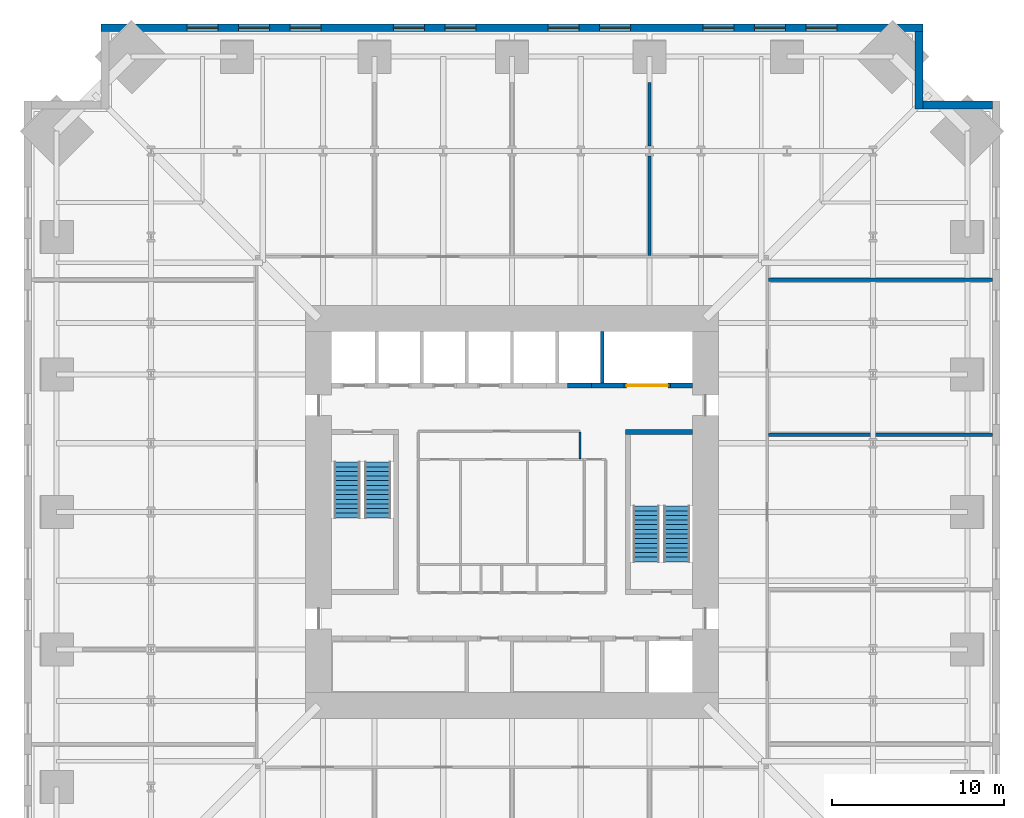
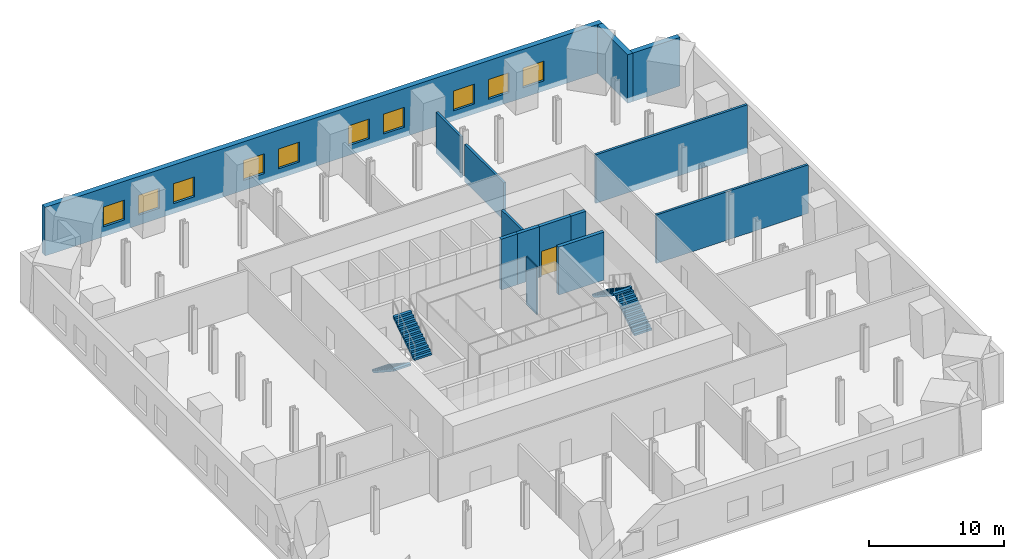
# One storey, part 7 of 8: 14 walls, 10 windows, 4 stair flights, 1 door, 11 openings, 2 elements without a shape of their own.
"""IFC4 building model written with IfcOpenShell, lengths in metres."""

from ifc_helpers import new_model, si_unit, direction, frame, frame_2d, origin, place, context, subcontext, project, spatial, polyline, rectangle, outline, extrude, material, layer, layer_set, type_object, element, fill, aggregate, save


model = new_model("IFC4")

# Units and contexts
model_context = context("Model", 3, precision=1e-05, world=origin(), true_north=direction((0.0, 1.0)))
body_context = subcontext(model_context, "Body", "Model", "MODEL_VIEW")
ifc_project = project(units=[si_unit("LENGTHUNIT", "METRE"), si_unit("AREAUNIT", "SQUARE_METRE"), si_unit("VOLUMEUNIT", "CUBIC_METRE"), si_unit("PLANEANGLEUNIT", "RADIAN"), si_unit("MASSUNIT", "GRAM", prefix="KILO")], contexts=[model_context])

# Site, building, storey
site_placement = place(None, origin())
site = spatial("IfcSite", under=ifc_project, at=site_placement, CompositionType="ELEMENT")
building_placement = place(site_placement, origin())
building = spatial("IfcBuilding", under=site, at=building_placement, Name="Peilmerk Tower", CompositionType="ELEMENT")
storey_placement = place(building_placement, frame((0.0, 0.0, 109.0)))
storey = spatial("IfcBuildingStorey", under=building, at=storey_placement, Name="L21", CompositionType="ELEMENT", Elevation=109.0)

# Wall, openings, windows
ifc_material_1 = material(Name="Precast concrete C45/55, board-marked finish", Category="concrete")
ifc_layer_1 = layer(ifc_material_1, 0.449951171875)
ifc_layer_set_1 = layer_set([ifc_layer_1], Name="Precast concrete C45/55, board-marked finish")
wall_type_1 = type_object("IfcWallType", Name="EW1 450 precast concrete facade wall, board-marked", PredefinedType="SOLIDWALL", material=ifc_layer_set_1)
wall_1_placement = place(storey_placement, frame((23.89990234375, 28.175048828125, 0.0), z_axis=(0.0, 0.0, 1.0), x_axis=(-1.0, 0.0, 0.0)))
wall_1 = element("IfcWall", 1, at=wall_1_placement, inside=storey, type_object=wall_type_1, Name="Facade wall N L21", PredefinedType="SOLIDWALL", context=body_context, shape_type="SweptSolid", body=[
    extrude(rectangle(XDim=47.7998046875, YDim=0.449951171875, at=frame_2d((23.89990234375, 0.0))), origin(), (0.0, 0.0, 1.0), 4.39990234375),
])
opening_1_placement = place(wall_1_placement, frame((5.0, 0.0, 0.89990234375)))
opening_1 = element("IfcOpeningElement", 2, at=opening_1_placement, cuts=wall_1, Name="Opening W3", PredefinedType="OPENING", context=body_context, shape_type="SweptSolid", body=[
    extrude(rectangle(XDim=1.800048828125, YDim=1.800048828125, at=frame_2d((0.89990234375, 0.89990234375))), frame((0.0, 0.23486328125, 0.0), z_axis=(0.0, -1.0, 0.0), x_axis=(1.0, 0.0, 0.0)), (0.0, 0.0, 1.0), 0.469970703125),
])
opening_2_placement = place(wall_1_placement, frame((8.0, 0.0, 0.89990234375)))
opening_2 = element("IfcOpeningElement", 3, at=opening_2_placement, cuts=wall_1, Name="Opening W3", PredefinedType="OPENING", context=body_context, shape_type="SweptSolid", body=[
    extrude(rectangle(XDim=1.800048828125, YDim=1.800048828125, at=frame_2d((0.89990234375, 0.89990234375))), frame((0.0, 0.23486328125, 0.0), z_axis=(0.0, -1.0, 0.0), x_axis=(1.0, 0.0, 0.0)), (0.0, 0.0, 1.0), 0.469970703125),
])
opening_3_placement = place(wall_1_placement, frame((11.0, 0.0, 0.89990234375)))
opening_3 = element("IfcOpeningElement", 4, at=opening_3_placement, cuts=wall_1, Name="Opening W3", PredefinedType="OPENING", context=body_context, shape_type="SweptSolid", body=[
    extrude(rectangle(XDim=1.800048828125, YDim=1.800048828125, at=frame_2d((0.89990234375, 0.89990234375))), frame((0.0, 0.23486328125, 0.0), z_axis=(0.0, -1.0, 0.0), x_axis=(1.0, 0.0, 0.0)), (0.0, 0.0, 1.0), 0.469970703125),
])
opening_4_placement = place(wall_1_placement, frame((17.0, 0.0, 0.89990234375)))
opening_4 = element("IfcOpeningElement", 5, at=opening_4_placement, cuts=wall_1, Name="Opening W3", PredefinedType="OPENING", context=body_context, shape_type="SweptSolid", body=[
    extrude(rectangle(XDim=1.800048828125, YDim=1.800048828125, at=frame_2d((0.89990234375, 0.89990234375))), frame((0.0, 0.23486328125, 0.0), z_axis=(0.0, -1.0, 0.0), x_axis=(1.0, 0.0, 0.0)), (0.0, 0.0, 1.0), 0.469970703125),
])
opening_5_placement = place(wall_1_placement, frame((20.0, 0.0, 0.89990234375)))
opening_5 = element("IfcOpeningElement", 6, at=opening_5_placement, cuts=wall_1, Name="Opening W3", PredefinedType="OPENING", context=body_context, shape_type="SweptSolid", body=[
    extrude(rectangle(XDim=1.800048828125, YDim=1.800048828125, at=frame_2d((0.89990234375, 0.89990234375))), frame((0.0, 0.23486328125, 0.0), z_axis=(0.0, -1.0, 0.0), x_axis=(1.0, 0.0, 0.0)), (0.0, 0.0, 1.0), 0.469970703125),
])
opening_6_placement = place(wall_1_placement, frame((26.0, 0.0, 0.89990234375)))
opening_6 = element("IfcOpeningElement", 7, at=opening_6_placement, cuts=wall_1, Name="Opening W3", PredefinedType="OPENING", context=body_context, shape_type="SweptSolid", body=[
    extrude(rectangle(XDim=1.800048828125, YDim=1.800048828125, at=frame_2d((0.89990234375, 0.89990234375))), frame((0.0, 0.23486328125, 0.0), z_axis=(0.0, -1.0, 0.0), x_axis=(1.0, 0.0, 0.0)), (0.0, 0.0, 1.0), 0.469970703125),
])
opening_7_placement = place(wall_1_placement, frame((29.0, 0.0, 0.89990234375)))
opening_7 = element("IfcOpeningElement", 8, at=opening_7_placement, cuts=wall_1, Name="Opening W3", PredefinedType="OPENING", context=body_context, shape_type="SweptSolid", body=[
    extrude(rectangle(XDim=1.800048828125, YDim=1.800048828125, at=frame_2d((0.89990234375, 0.89990234375))), frame((0.0, 0.23486328125, 0.0), z_axis=(0.0, -1.0, 0.0), x_axis=(1.0, 0.0, 0.0)), (0.0, 0.0, 1.0), 0.469970703125),
])
opening_8_placement = place(wall_1_placement, frame((35.0, 0.0, 0.89990234375)))
opening_8 = element("IfcOpeningElement", 9, at=opening_8_placement, cuts=wall_1, Name="Opening W3", PredefinedType="OPENING", context=body_context, shape_type="SweptSolid", body=[
    extrude(rectangle(XDim=1.800048828125, YDim=1.800048828125, at=frame_2d((0.89990234375, 0.89990234375))), frame((0.0, 0.23486328125, 0.0), z_axis=(0.0, -1.0, 0.0), x_axis=(1.0, 0.0, 0.0)), (0.0, 0.0, 1.0), 0.469970703125),
])
opening_9_placement = place(wall_1_placement, frame((38.0, 0.0, 0.89990234375)))
opening_9 = element("IfcOpeningElement", 10, at=opening_9_placement, cuts=wall_1, Name="Opening W3", PredefinedType="OPENING", context=body_context, shape_type="SweptSolid", body=[
    extrude(rectangle(XDim=1.800048828125, YDim=1.800048828125, at=frame_2d((0.89990234375, 0.89990234375))), frame((0.0, 0.23486328125, 0.0), z_axis=(0.0, -1.0, 0.0), x_axis=(1.0, 0.0, 0.0)), (0.0, 0.0, 1.0), 0.469970703125),
])
opening_10_placement = place(wall_1_placement, frame((41.0, 0.0, 0.89990234375)))
opening_10 = element("IfcOpeningElement", 11, at=opening_10_placement, cuts=wall_1, Name="Opening W3", PredefinedType="OPENING", context=body_context, shape_type="SweptSolid", body=[
    extrude(rectangle(XDim=1.800048828125, YDim=1.800048828125, at=frame_2d((0.89990234375, 0.89990234375))), frame((0.0, 0.23486328125, 0.0), z_axis=(0.0, -1.0, 0.0), x_axis=(1.0, 0.0, 0.0)), (0.0, 0.0, 1.0), 0.469970703125),
])
ifc_material_2 = material(Name="Aluminium frame, clear double glazing", Category="aluminium")
window_type = type_object("IfcWindowType", Name="W3 1800x1800 telecom floor window", PartitioningType="SINGLE_PANEL", PredefinedType="WINDOW", material=ifc_material_2)
window_1_placement = place(opening_1_placement, origin())
window_1 = element("IfcWindow", 12, at=window_1_placement, inside=storey, type_object=window_type, Name="Window W3 L21", OverallHeight=1.800048828125, OverallWidth=1.800048828125, PartitioningType="SINGLE_PANEL", PredefinedType="WINDOW", context=body_context, shape_type="SweptSolid", body=[
    extrude(rectangle(XDim=1.800048828125, YDim=1.800048828125, at=frame_2d((0.89990234375, 0.89990234375))), frame((0.0, 0.030029296875, 0.0), z_axis=(0.0, -1.0, 0.0), x_axis=(1.0, 0.0, 0.0)), (0.0, 0.0, 1.0), 0.06005859375),
])
fill(opening_1, window_1)
window_2_placement = place(opening_2_placement, origin())
window_2 = element("IfcWindow", 13, at=window_2_placement, inside=storey, type_object=window_type, Name="Window W3 L21", OverallHeight=1.800048828125, OverallWidth=1.800048828125, PartitioningType="SINGLE_PANEL", PredefinedType="WINDOW", context=body_context, shape_type="SweptSolid", body=[
    extrude(rectangle(XDim=1.800048828125, YDim=1.800048828125, at=frame_2d((0.89990234375, 0.89990234375))), frame((0.0, 0.030029296875, 0.0), z_axis=(0.0, -1.0, 0.0), x_axis=(1.0, 0.0, 0.0)), (0.0, 0.0, 1.0), 0.06005859375),
])
fill(opening_2, window_2)
window_3_placement = place(opening_3_placement, origin())
window_3 = element("IfcWindow", 14, at=window_3_placement, inside=storey, type_object=window_type, Name="Window W3 L21", OverallHeight=1.800048828125, OverallWidth=1.800048828125, PartitioningType="SINGLE_PANEL", PredefinedType="WINDOW", context=body_context, shape_type="SweptSolid", body=[
    extrude(rectangle(XDim=1.800048828125, YDim=1.800048828125, at=frame_2d((0.89990234375, 0.89990234375))), frame((0.0, 0.030029296875, 0.0), z_axis=(0.0, -1.0, 0.0), x_axis=(1.0, 0.0, 0.0)), (0.0, 0.0, 1.0), 0.06005859375),
])
fill(opening_3, window_3)
window_4_placement = place(opening_4_placement, origin())
window_4 = element("IfcWindow", 15, at=window_4_placement, inside=storey, type_object=window_type, Name="Window W3 L21", OverallHeight=1.800048828125, OverallWidth=1.800048828125, PartitioningType="SINGLE_PANEL", PredefinedType="WINDOW", context=body_context, shape_type="SweptSolid", body=[
    extrude(rectangle(XDim=1.800048828125, YDim=1.800048828125, at=frame_2d((0.89990234375, 0.89990234375))), frame((0.0, 0.030029296875, 0.0), z_axis=(0.0, -1.0, 0.0), x_axis=(1.0, 0.0, 0.0)), (0.0, 0.0, 1.0), 0.06005859375),
])
fill(opening_4, window_4)
window_5_placement = place(opening_5_placement, origin())
window_5 = element("IfcWindow", 16, at=window_5_placement, inside=storey, type_object=window_type, Name="Window W3 L21", OverallHeight=1.800048828125, OverallWidth=1.800048828125, PartitioningType="SINGLE_PANEL", PredefinedType="WINDOW", context=body_context, shape_type="SweptSolid", body=[
    extrude(rectangle(XDim=1.800048828125, YDim=1.800048828125, at=frame_2d((0.89990234375, 0.89990234375))), frame((0.0, 0.030029296875, 0.0), z_axis=(0.0, -1.0, 0.0), x_axis=(1.0, 0.0, 0.0)), (0.0, 0.0, 1.0), 0.06005859375),
])
fill(opening_5, window_5)
window_6_placement = place(opening_6_placement, origin())
window_6 = element("IfcWindow", 17, at=window_6_placement, inside=storey, type_object=window_type, Name="Window W3 L21", OverallHeight=1.800048828125, OverallWidth=1.800048828125, PartitioningType="SINGLE_PANEL", PredefinedType="WINDOW", context=body_context, shape_type="SweptSolid", body=[
    extrude(rectangle(XDim=1.800048828125, YDim=1.800048828125, at=frame_2d((0.89990234375, 0.89990234375))), frame((0.0, 0.030029296875, 0.0), z_axis=(0.0, -1.0, 0.0), x_axis=(1.0, 0.0, 0.0)), (0.0, 0.0, 1.0), 0.06005859375),
])
fill(opening_6, window_6)
window_7_placement = place(opening_7_placement, origin())
window_7 = element("IfcWindow", 18, at=window_7_placement, inside=storey, type_object=window_type, Name="Window W3 L21", OverallHeight=1.800048828125, OverallWidth=1.800048828125, PartitioningType="SINGLE_PANEL", PredefinedType="WINDOW", context=body_context, shape_type="SweptSolid", body=[
    extrude(rectangle(XDim=1.800048828125, YDim=1.800048828125, at=frame_2d((0.89990234375, 0.89990234375))), frame((0.0, 0.030029296875, 0.0), z_axis=(0.0, -1.0, 0.0), x_axis=(1.0, 0.0, 0.0)), (0.0, 0.0, 1.0), 0.06005859375),
])
fill(opening_7, window_7)
window_8_placement = place(opening_8_placement, origin())
window_8 = element("IfcWindow", 19, at=window_8_placement, inside=storey, type_object=window_type, Name="Window W3 L21", OverallHeight=1.800048828125, OverallWidth=1.800048828125, PartitioningType="SINGLE_PANEL", PredefinedType="WINDOW", context=body_context, shape_type="SweptSolid", body=[
    extrude(rectangle(XDim=1.800048828125, YDim=1.800048828125, at=frame_2d((0.89990234375, 0.89990234375))), frame((0.0, 0.030029296875, 0.0), z_axis=(0.0, -1.0, 0.0), x_axis=(1.0, 0.0, 0.0)), (0.0, 0.0, 1.0), 0.06005859375),
])
fill(opening_8, window_8)
window_9_placement = place(opening_9_placement, origin())
window_9 = element("IfcWindow", 20, at=window_9_placement, inside=storey, type_object=window_type, Name="Window W3 L21", OverallHeight=1.800048828125, OverallWidth=1.800048828125, PartitioningType="SINGLE_PANEL", PredefinedType="WINDOW", context=body_context, shape_type="SweptSolid", body=[
    extrude(rectangle(XDim=1.800048828125, YDim=1.800048828125, at=frame_2d((0.89990234375, 0.89990234375))), frame((0.0, 0.030029296875, 0.0), z_axis=(0.0, -1.0, 0.0), x_axis=(1.0, 0.0, 0.0)), (0.0, 0.0, 1.0), 0.06005859375),
])
fill(opening_9, window_9)
window_10_placement = place(opening_10_placement, origin())
window_10 = element("IfcWindow", 21, at=window_10_placement, inside=storey, type_object=window_type, Name="Window W3 L21", OverallHeight=1.800048828125, OverallWidth=1.800048828125, PartitioningType="SINGLE_PANEL", PredefinedType="WINDOW", context=body_context, shape_type="SweptSolid", body=[
    extrude(rectangle(XDim=1.800048828125, YDim=1.800048828125, at=frame_2d((0.89990234375, 0.89990234375))), frame((0.0, 0.030029296875, 0.0), z_axis=(0.0, -1.0, 0.0), x_axis=(1.0, 0.0, 0.0)), (0.0, 0.0, 1.0), 0.06005859375),
])
fill(opening_10, window_10)

# Walls
wall_2_placement = place(storey_placement, frame((23.675048828125, 23.449951171875, 0.0), z_axis=(0.0, 0.0, 1.0), x_axis=(0.0, 1.0, 0.0)))
element("IfcWall", 22, at=wall_2_placement, inside=storey, type_object=wall_type_1, Name="Facade wall NEA L21", PredefinedType="SOLIDWALL", context=body_context, shape_type="SweptSolid", body=[
    extrude(rectangle(XDim=4.5, YDim=0.449951171875, at=frame_2d((2.25, 0.0))), origin(), (0.0, 0.0, 1.0), 4.39990234375),
])
wall_3_placement = place(storey_placement, frame((23.89990234375, 23.675048828125, 0.0), z_axis=(0.0, 0.0, 1.0), x_axis=(1.0, 0.0, 0.0)))
element("IfcWall", 23, at=wall_3_placement, inside=storey, type_object=wall_type_1, Name="Facade wall NEB L21", PredefinedType="SOLIDWALL", context=body_context, shape_type="SweptSolid", body=[
    extrude(rectangle(XDim=4.050048828125, YDim=0.449951171875, at=frame_2d((2.02490234375, 0.0))), origin(), (0.0, 0.0, 1.0), 4.39990234375),
])
ifc_material_3 = material(Name="Calcium silicate block", Category="masonry")
ifc_layer_2 = layer(ifc_material_3, 0.199951171875)
ifc_layer_set_2 = layer_set([ifc_layer_2], Name="Calcium silicate block")
wall_type_2 = type_object("IfcWallType", Name="IW2 200 room separating wall, EI 120", PredefinedType="PARTITIONING", material=ifc_layer_set_2)
wall_4_placement = place(storey_placement, frame((14.925048828125, 13.5, 0.0), z_axis=(0.0, 0.0, 1.0), x_axis=(1.0, 0.0, 0.0)))
element("IfcWall", 24, at=wall_4_placement, inside=storey, type_object=wall_type_2, Name="Room separating wall NE L21", PredefinedType="PARTITIONING", context=body_context, shape_type="SweptSolid", body=[
    extrude(rectangle(XDim=13.02490234375, YDim=0.199951171875, at=frame_2d((6.512451171875, 0.0))), origin(), (0.0, 0.0, 1.0), 4.39990234375),
])
wall_5_placement = place(storey_placement, frame((8.0, 14.925048828125, 0.0), z_axis=(0.0, 0.0, 1.0), x_axis=(0.0, 1.0, 0.0)))
element("IfcWall", 25, at=wall_5_placement, inside=storey, type_object=wall_type_2, Name="Room separating wall N3 L21", PredefinedType="PARTITIONING", context=body_context, shape_type="SweptSolid", body=[
    extrude(rectangle(XDim=5.79052734375, YDim=0.199951171875, at=frame_2d((2.895263671875, 0.0))), origin(), (0.0, 0.0, 1.0), 3.39208984375),
])
wall_6_placement = place(storey_placement, frame((8.0, 21.284423828125, 0.0), z_axis=(0.0, 0.0, 1.0), x_axis=(0.0, 1.0, 0.0)))
element("IfcWall", 26, at=wall_6_placement, inside=storey, type_object=wall_type_2, Name="Room separating wall N3b L21", PredefinedType="PARTITIONING", context=body_context, shape_type="SweptSolid", body=[
    extrude(rectangle(XDim=3.688232421875, YDim=0.199951171875, at=frame_2d((1.84423828125, 0.0))), origin(), (0.0, 0.0, 1.0), 3.7099609375),
])
wall_7_placement = place(storey_placement, frame((14.925048828125, 4.5, 0.0), z_axis=(0.0, 0.0, 1.0), x_axis=(1.0, 0.0, 0.0)))
element("IfcWall", 27, at=wall_7_placement, inside=storey, type_object=wall_type_2, Name="Room separating wall E2 L21", PredefinedType="PARTITIONING", context=body_context, shape_type="SweptSolid", body=[
    extrude(rectangle(XDim=13.02490234375, YDim=0.199951171875, at=frame_2d((6.512451171875, 0.0))), origin(), (0.0, 0.0, 1.0), 4.39990234375),
])
ifc_material_4 = material(Name="Concrete C35/45", Category="concrete")
ifc_layer_3 = layer(ifc_material_4, 0.300048828125)
ifc_layer_set_3 = layer_set([ifc_layer_3], Name="Concrete C35/45")
wall_type_3 = type_object("IfcWallType", Name="IW3 300 concrete stair enclosure wall, EI 120", PredefinedType="SOLIDWALL", material=ifc_layer_set_3)
wall_8_placement = place(storey_placement, frame((6.60009765625, 4.64990234375, 0.0), z_axis=(0.0, 0.0, 1.0), x_axis=(1.0, 0.0, 0.0)))
element("IfcWall", 28, at=wall_8_placement, inside=storey, type_object=wall_type_3, Name="Stair 2 enclosure L21", PredefinedType="SOLIDWALL", context=body_context, shape_type="SweptSolid", body=[
    extrude(rectangle(XDim=3.89990234375, YDim=0.300048828125, at=frame_2d((1.949951171875, 0.0))), origin(), (0.0, 0.0, 1.0), 4.35009765625),
])
ifc_material_5 = material(Name="Fire-resisting plasterboard on steel studs", Category="steel")
ifc_layer_4 = layer(ifc_material_5, 0.10009765625)
ifc_layer_set_4 = layer_set([ifc_layer_4], Name="Fire-resisting plasterboard on steel studs")
wall_type_4 = type_object("IfcWallType", Name="IW9 100 WC lobby wall, EI 30", PredefinedType="PARTITIONING", material=ifc_layer_set_4)
wall_9_placement = place(storey_placement, frame((3.949951171875, 3.10009765625, 0.0), z_axis=(0.0, 0.0, 1.0), x_axis=(0.0, 1.0, 0.0)))
element("IfcWall", 29, at=wall_9_placement, inside=storey, type_object=wall_type_4, Name="WC lobby wall L21", PredefinedType="PARTITIONING", context=body_context, shape_type="SweptSolid", body=[
    extrude(rectangle(XDim=1.5498046875, YDim=0.10009765625, at=frame_2d((0.77490234375, 0.0))), origin(), (0.0, 0.0, 1.0), 4.35009765625),
])
ifc_layer_5 = layer(ifc_material_3, 0.199951171875)
ifc_layer_set_5 = layer_set([ifc_layer_5], Name="Calcium silicate block")
wall_type_5 = type_object("IfcWallType", Name="SH1 200 shaft dividing wall, EI 120", PredefinedType="PARTITIONING", material=ifc_layer_set_5)
wall_10_placement = place(storey_placement, frame((5.25, 7.5, 0.0), z_axis=(0.0, 0.0, 1.0), x_axis=(0.0, 1.0, 0.0)))
element("IfcWall", 30, at=wall_10_placement, inside=storey, type_object=wall_type_5, Name="Shaft wall N S2 L21", PredefinedType="PARTITIONING", context=body_context, shape_type="SweptSolid", body=[
    extrude(rectangle(XDim=3.0, YDim=0.199951171875, at=frame_2d((1.5, 0.0))), origin(), (0.0, 0.0, 1.0), 4.60009765625),
])
ifc_layer_6 = layer(ifc_material_3, 0.300048828125)
ifc_layer_set_6 = layer_set([ifc_layer_6], Name="Calcium silicate block")
wall_type_6 = type_object("IfcWallType", Name="SH2 300 lift landing door panel, EI 120", PredefinedType="PARTITIONING", material=ifc_layer_set_6)
wall_11_placement = place(storey_placement, frame((3.237548828125, 7.35009765625, 0.0), z_axis=(0.0, 0.0, 1.0), x_axis=(1.0, 0.0, 0.0)))
element("IfcWall", 31, at=wall_11_placement, inside=storey, type_object=wall_type_6, Name="Lift door panel N S2 L21", PredefinedType="PARTITIONING", context=body_context, shape_type="SweptSolid", body=[
    extrude(rectangle(XDim=1.39990234375, YDim=0.300048828125, at=frame_2d((0.699951171875, 0.0))), origin(), (0.0, 0.0, 1.0), 4.60009765625),
])

# Wall, opening, door
wall_12_placement = place(storey_placement, frame((6.52490234375, 7.35009765625, 0.0), z_axis=(0.0, 0.0, 1.0), x_axis=(1.0, 0.0, 0.0)))
wall_12 = element("IfcWall", 32, at=wall_12_placement, inside=storey, type_object=wall_type_6, Name="Lift door panel N GL1 L21", PredefinedType="PARTITIONING", context=body_context, shape_type="SweptSolid", body=[
    extrude(rectangle(XDim=2.7001953125, YDim=0.300048828125, at=frame_2d((1.35009765625, 0.0))), origin(), (0.0, 0.0, 1.0), 4.60009765625),
])
opening_11_placement = place(wall_12_placement, frame((0.14990234375, 0.0, 0.0)))
opening_11 = element("IfcOpeningElement", 33, at=opening_11_placement, cuts=wall_12, Name="Opening LD3", PredefinedType="OPENING", context=body_context, shape_type="SweptSolid", body=[
    extrude(rectangle(XDim=2.39990234375, YDim=2.300048828125, at=frame_2d((1.199951171875, 1.14990234375))), frame((0.0, 0.159912109375, 0.0), z_axis=(0.0, -1.0, 0.0), x_axis=(1.0, 0.0, 0.0)), (0.0, 0.0, 1.0), 0.320068359375),
])
ifc_material_6 = material(Name="Stainless steel landing door", Category="steel")
door_type = type_object("IfcDoorType", Name="LD3 2400x2300 lift landing door, sliding, EI2 60", OperationType="SLIDING_TO_LEFT", PredefinedType="DOOR", material=ifc_material_6)
door_placement = place(opening_11_placement, frame((2.39990234375, 0.0, 0.0), z_axis=(0.0, 0.0, 1.0), x_axis=(-1.0, 0.0, 0.0)))
door = element("IfcDoor", 34, at=door_placement, inside=storey, type_object=door_type, Name="Lift landing door GL1 L21", OperationType="SLIDING_TO_LEFT", OverallHeight=2.300048828125, OverallWidth=2.39990234375, PredefinedType="DOOR", context=body_context, shape_type="SweptSolid", body=[
    extrude(rectangle(XDim=2.39990234375, YDim=2.300048828125, at=frame_2d((1.199951171875, 1.14990234375))), frame((0.0, 0.02490234375, 0.0), z_axis=(0.0, -1.0, 0.0), x_axis=(1.0, 0.0, 0.0)), (0.0, 0.0, 1.0), 0.050048828125),
])
fill(opening_11, door)

# Walls
ifc_material_7 = material(Name="Concrete C55/67", Category="concrete")
ifc_layer_7 = layer(ifc_material_7, 0.300048828125)
ifc_layer_set_7 = layer_set([ifc_layer_7], Name="Concrete C55/67")
wall_type_7 = type_object("IfcWallType", Name="SW2 300 lift bank pier", PredefinedType="SHEAR", material=ifc_layer_set_7)
wall_13_placement = place(storey_placement, frame((4.637451171875, 7.35009765625, 0.0), z_axis=(0.0, 0.0, 1.0), x_axis=(1.0, 0.0, 0.0)))
element("IfcWall", 35, at=wall_13_placement, inside=storey, type_object=wall_type_7, Name="Lift bank pier N L21", PredefinedType="SHEAR", context=body_context, shape_type="SweptSolid", body=[
    extrude(rectangle(XDim=1.887451171875, YDim=0.300048828125, at=frame_2d((0.94384765625, 0.0))), origin(), (0.0, 0.0, 1.0), 4.60009765625),
])
wall_14_placement = place(storey_placement, frame((9.22509765625, 7.35009765625, 0.0), z_axis=(0.0, 0.0, 1.0), x_axis=(1.0, 0.0, 0.0)))
element("IfcWall", 36, at=wall_14_placement, inside=storey, type_object=wall_type_7, Name="Lift bank pier N L21", PredefinedType="SHEAR", context=body_context, shape_type="SweptSolid", body=[
    extrude(rectangle(XDim=1.27490234375, YDim=0.300048828125, at=frame_2d((0.637451171875, 0.0))), origin(), (0.0, 0.0, 1.0), 4.60009765625),
])

# Stair, stair flights
ifc_material_8 = material(Name="Precast concrete C45/55", Category="concrete")
stair_type_1 = type_object("IfcStairType", Name="ST1 26 risers of 176.9", PredefinedType="HALF_TURN_STAIR", material=ifc_material_8)
stair_1_placement = place(storey_placement, origin())
stair_1 = element("IfcStair", 37, at=stair_1_placement, inside=storey, type_object=stair_type_1, Name="Stair 1 L21 to L22", PredefinedType="HALF_TURN_STAIR")
stair_flight_type = type_object("IfcStairFlightType", Name="SF13 flight, 13 risers of 176.9", PredefinedType="STRAIGHT", material=ifc_material_8)
stair_flight_1_placement = place(storey_placement, frame((-9.60009765625, 2.89990234375, 0.0), z_axis=(0.0, 0.0, 1.0), x_axis=(0.0, -1.0, 0.0)))
stair_flight_1 = element("IfcStairFlight", 38, at=stair_flight_1_placement, type_object=stair_flight_type, Name="ST1 flight 1", NumberOfRisers=13, NumberOfTreads=12, PredefinedType="STRAIGHT", RiserHeight=0.176923077, TreadLength=0.27, context=body_context, shape_type="SweptSolid", body=[
    extrude(outline(polyline([(0.0, 0.0), (0.0, 0.177001953125), (0.27001953125, 0.177001953125), (0.27001953125, 0.353759765625), (0.5400390625, 0.353759765625), (0.5400390625, 0.53076171875), (0.81005859375, 0.53076171875), (0.81005859375, 0.707763671875), (1.080078125, 0.707763671875), (1.080078125, 0.884521484375), (1.35009765625, 0.884521484375), (1.35009765625, 1.0615234375), (1.6201171875, 1.0615234375), (1.6201171875, 1.238525390625), (1.889892578125, 1.238525390625), (1.889892578125, 1.415283203125), (2.159912109375, 1.415283203125), (2.159912109375, 1.59228515625), (2.429931640625, 1.59228515625), (2.429931640625, 1.769287109375), (2.699951171875, 1.769287109375), (2.699951171875, 1.946044921875), (2.969970703125, 1.946044921875), (2.969970703125, 2.123046875), (3.239990234375, 2.123046875), (3.239990234375, 2.300048828125), (3.239990234375, 1.94384765625), (0.2734375, 0.0), (0.0, 0.0)])), frame((0.0, 0.75, 0.0), z_axis=(0.0, -1.0, 0.0), x_axis=(1.0, 0.0, 0.0)), (0.0, 0.0, 1.0), 1.5),
])
stair_flight_2_placement = place(storey_placement, frame((-7.800048828125, -0.340087890625, 2.300048828125), z_axis=(0.0, 0.0, 1.0), x_axis=(0.0, 1.0, 0.0)))
stair_flight_2 = element("IfcStairFlight", 39, at=stair_flight_2_placement, type_object=stair_flight_type, Name="ST1 flight 2", NumberOfRisers=13, NumberOfTreads=12, PredefinedType="STRAIGHT", RiserHeight=0.176923077, TreadLength=0.27, context=body_context, shape_type="SweptSolid", body=[
    extrude(outline(polyline([(0.0, 0.0), (0.0, 0.177001953125), (0.27001953125, 0.177001953125), (0.27001953125, 0.353759765625), (0.5400390625, 0.353759765625), (0.5400390625, 0.53076171875), (0.81005859375, 0.53076171875), (0.81005859375, 0.707763671875), (1.080078125, 0.707763671875), (1.080078125, 0.884521484375), (1.35009765625, 0.884521484375), (1.35009765625, 1.0615234375), (1.6201171875, 1.0615234375), (1.6201171875, 1.238525390625), (1.889892578125, 1.238525390625), (1.889892578125, 1.415283203125), (2.159912109375, 1.415283203125), (2.159912109375, 1.59228515625), (2.429931640625, 1.59228515625), (2.429931640625, 1.769287109375), (2.699951171875, 1.769287109375), (2.699951171875, 1.946044921875), (2.969970703125, 1.946044921875), (2.969970703125, 2.123046875), (3.239990234375, 2.123046875), (3.239990234375, 2.300048828125), (3.239990234375, 1.94384765625), (0.2734375, 0.0), (0.0, 0.0)])), frame((0.0, 0.75, 0.0), z_axis=(0.0, -1.0, 0.0), x_axis=(1.0, 0.0, 0.0)), (0.0, 0.0, 1.0), 1.5),
])
aggregate(stair_1, [stair_flight_1, stair_flight_2])

stair_type_2 = type_object("IfcStairType", Name="ST2 26 risers of 176.9", PredefinedType="HALF_TURN_STAIR", material=ifc_material_8)
stair_2_placement = place(storey_placement, origin())
stair_2 = element("IfcStair", 40, at=stair_2_placement, inside=storey, type_object=stair_type_2, Name="Stair 2 L21 to L22", PredefinedType="HALF_TURN_STAIR")
stair_flight_3_placement = place(storey_placement, frame((9.60009765625, -2.89990234375, 0.0), z_axis=(0.0, 0.0, 1.0), x_axis=(0.0, 1.0, 0.0)))
stair_flight_3 = element("IfcStairFlight", 41, at=stair_flight_3_placement, type_object=stair_flight_type, Name="ST2 flight 1", NumberOfRisers=13, NumberOfTreads=12, PredefinedType="STRAIGHT", RiserHeight=0.176923077, TreadLength=0.27, context=body_context, shape_type="SweptSolid", body=[
    extrude(outline(polyline([(0.0, 0.0), (0.0, 0.177001953125), (0.27001953125, 0.177001953125), (0.27001953125, 0.353759765625), (0.5400390625, 0.353759765625), (0.5400390625, 0.53076171875), (0.81005859375, 0.53076171875), (0.81005859375, 0.707763671875), (1.080078125, 0.707763671875), (1.080078125, 0.884521484375), (1.35009765625, 0.884521484375), (1.35009765625, 1.0615234375), (1.6201171875, 1.0615234375), (1.6201171875, 1.238525390625), (1.889892578125, 1.238525390625), (1.889892578125, 1.415283203125), (2.159912109375, 1.415283203125), (2.159912109375, 1.59228515625), (2.429931640625, 1.59228515625), (2.429931640625, 1.769287109375), (2.699951171875, 1.769287109375), (2.699951171875, 1.946044921875), (2.969970703125, 1.946044921875), (2.969970703125, 2.123046875), (3.239990234375, 2.123046875), (3.239990234375, 2.300048828125), (3.239990234375, 1.94384765625), (0.2734375, 0.0), (0.0, 0.0)])), frame((0.0, 0.75, 0.0), z_axis=(0.0, -1.0, 0.0), x_axis=(1.0, 0.0, 0.0)), (0.0, 0.0, 1.0), 1.5),
])
stair_flight_4_placement = place(storey_placement, frame((7.800048828125, 0.340087890625, 2.300048828125), z_axis=(0.0, 0.0, 1.0), x_axis=(0.0, -1.0, 0.0)))
stair_flight_4 = element("IfcStairFlight", 42, at=stair_flight_4_placement, type_object=stair_flight_type, Name="ST2 flight 2", NumberOfRisers=13, NumberOfTreads=12, PredefinedType="STRAIGHT", RiserHeight=0.176923077, TreadLength=0.27, context=body_context, shape_type="SweptSolid", body=[
    extrude(outline(polyline([(0.0, 0.0), (0.0, 0.177001953125), (0.27001953125, 0.177001953125), (0.27001953125, 0.353759765625), (0.5400390625, 0.353759765625), (0.5400390625, 0.53076171875), (0.81005859375, 0.53076171875), (0.81005859375, 0.707763671875), (1.080078125, 0.707763671875), (1.080078125, 0.884521484375), (1.35009765625, 0.884521484375), (1.35009765625, 1.0615234375), (1.6201171875, 1.0615234375), (1.6201171875, 1.238525390625), (1.889892578125, 1.238525390625), (1.889892578125, 1.415283203125), (2.159912109375, 1.415283203125), (2.159912109375, 1.59228515625), (2.429931640625, 1.59228515625), (2.429931640625, 1.769287109375), (2.699951171875, 1.769287109375), (2.699951171875, 1.946044921875), (2.969970703125, 1.946044921875), (2.969970703125, 2.123046875), (3.239990234375, 2.123046875), (3.239990234375, 2.300048828125), (3.239990234375, 1.94384765625), (0.2734375, 0.0), (0.0, 0.0)])), frame((0.0, 0.75, 0.0), z_axis=(0.0, -1.0, 0.0), x_axis=(1.0, 0.0, 0.0)), (0.0, 0.0, 1.0), 1.5),
])
aggregate(stair_2, [stair_flight_3, stair_flight_4])

save(model, "model.ifc")
